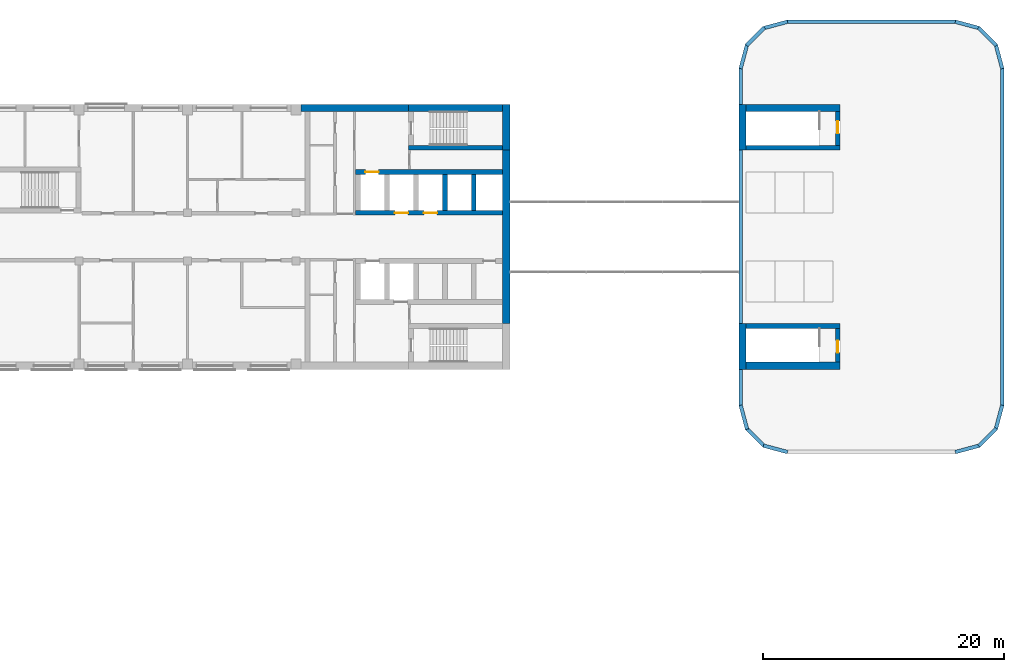
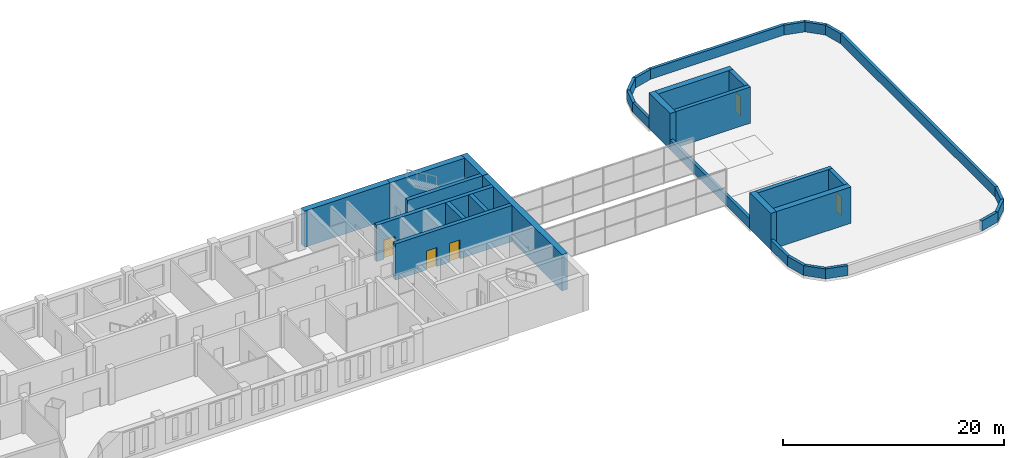
# One storey, part 9 of 11: 34 walls, 5 doors, 5 openings.
"""IFC4 building model written with IfcOpenShell, lengths in metres."""

from ifc_helpers import new_model, si_unit, direction, frame, frame_2d, origin, place, context, subcontext, project, spatial, rectangle, extrude, material, layer, layer_set, type_object, element, fill, save


model = new_model("IFC4")

# Units and contexts
model_context = context("Model", 3, precision=1e-05, world=origin(), true_north=direction((0.0, 1.0)))
body_context = subcontext(model_context, "Body", "Model", "MODEL_VIEW")
ifc_project = project(units=[si_unit("LENGTHUNIT", "METRE"), si_unit("AREAUNIT", "SQUARE_METRE"), si_unit("VOLUMEUNIT", "CUBIC_METRE"), si_unit("PLANEANGLEUNIT", "RADIAN"), si_unit("MASSUNIT", "GRAM", prefix="KILO")], contexts=[model_context])

# Site, building, storey
site_placement = place(None, origin())
site = spatial("IfcSite", under=ifc_project, at=site_placement, CompositionType="ELEMENT")
building_placement = place(site_placement, origin())
building = spatial("IfcBuilding", under=site, at=building_placement, Name="Skarvind Civic Tower", CompositionType="ELEMENT")
storey_placement = place(building_placement, frame((0.0, 0.0, 113.0)))
storey = spatial("IfcBuildingStorey", under=building, at=storey_placement, Name="L26", CompositionType="ELEMENT", Elevation=113.0)

# Wall
ifc_material_1 = material(Name="Concrete C80", Category="concrete")
ifc_layer_1 = layer(ifc_material_1, 0.39990234375)
ifc_layer_set_1 = layer_set([ifc_layer_1], Name="Core wall 400 C80")
wall_type_1 = type_object("IfcWallType", Name="Core wall 400 C80", PredefinedType="SHEAR", material=ifc_layer_set_1)
wall_1_placement = place(storey_placement, frame((107.39990234375, 135.39990234375, 0.0), z_axis=(0.0, 0.0, 1.0), x_axis=(-1.0, 0.0, 0.0)))
element("IfcWall", 1, at=wall_1_placement, inside=storey, type_object=wall_type_1, Name="Core wall C1 south stair inner L26", PredefinedType="SHEAR", context=body_context, shape_type="SweptSolid", body=[
    extrude(rectangle(XDim=7.7998046875, YDim=0.39990234375, at=frame_2d((3.89990234375, 0.0))), origin(), (0.0, 0.0, 1.0), 4.0),
])

# Wall, openings, doors
wall_2_placement = place(storey_placement, frame((107.39990234375, 130.0, 0.0), z_axis=(0.0, 0.0, 1.0), x_axis=(-1.0, 0.0, 0.0)))
wall_2 = element("IfcWall", 2, at=wall_2_placement, inside=storey, type_object=wall_type_1, Name="Core wall C1 south lift row front L26", PredefinedType="SHEAR", context=body_context, shape_type="SweptSolid", body=[
    extrude(rectangle(XDim=12.199951171875, YDim=0.39990234375, at=frame_2d((6.10009765625, 0.0))), origin(), (0.0, 0.0, 1.0), 4.0),
])
opening_1_placement = place(wall_2_placement, frame((5.449951171875, 0.0, 0.0)))
opening_1 = element("IfcOpeningElement", 3, at=opening_1_placement, cuts=wall_2, Name="Opening LD28108", PredefinedType="OPENING", context=body_context, shape_type="SweptSolid", body=[
    extrude(rectangle(XDim=1.10009765625, YDim=2.10009765625, at=frame_2d((0.550048828125, 1.050048828125))), frame((0.0, 0.2099609375, 0.0), z_axis=(0.0, -1.0, 0.0), x_axis=(1.0, 0.0, 0.0)), (0.0, 0.0, 1.0), 0.419921875),
])
opening_2_placement = place(wall_2_placement, frame((7.85009765625, 0.0, 0.0)))
opening_2 = element("IfcOpeningElement", 4, at=opening_2_placement, cuts=wall_2, Name="Opening LD28109", PredefinedType="OPENING", context=body_context, shape_type="SweptSolid", body=[
    extrude(rectangle(XDim=1.10009765625, YDim=2.10009765625, at=frame_2d((0.550048828125, 1.050048828125))), frame((0.0, 0.2099609375, 0.0), z_axis=(0.0, -1.0, 0.0), x_axis=(1.0, 0.0, 0.0)), (0.0, 0.0, 1.0), 0.419921875),
])
ifc_material_2 = material(Name="Stainless steel landing door", Category="steel")
door_type_1 = type_object("IfcDoorType", Name="Lift landing door 1100", OperationType="DOUBLE_DOOR_SLIDING", PredefinedType="DOOR", material=ifc_material_2)
door_1_placement = place(opening_1_placement, origin())
door_1 = element("IfcDoor", 5, at=door_1_placement, inside=storey, type_object=door_type_1, Name="Lift landing door", OperationType="DOUBLE_DOOR_SLIDING", OverallHeight=2.10009765625, OverallWidth=1.10009765625, PredefinedType="DOOR", context=body_context, shape_type="SweptSolid", body=[
    extrude(rectangle(XDim=1.10009765625, YDim=2.10009765625, at=frame_2d((0.550048828125, 1.050048828125))), frame((0.0, 0.02490234375, 0.0), z_axis=(0.0, -1.0, 0.0), x_axis=(1.0, 0.0, 0.0)), (0.0, 0.0, 1.0), 0.050048828125),
])
fill(opening_1, door_1)
door_2_placement = place(opening_2_placement, origin())
door_2 = element("IfcDoor", 6, at=door_2_placement, inside=storey, type_object=door_type_1, Name="Lift landing door", OperationType="DOUBLE_DOOR_SLIDING", OverallHeight=2.10009765625, OverallWidth=1.10009765625, PredefinedType="DOOR", context=body_context, shape_type="SweptSolid", body=[
    extrude(rectangle(XDim=1.10009765625, YDim=2.10009765625, at=frame_2d((0.550048828125, 1.050048828125))), frame((0.0, 0.02490234375, 0.0), z_axis=(0.0, -1.0, 0.0), x_axis=(1.0, 0.0, 0.0)), (0.0, 0.0, 1.0), 0.050048828125),
])
fill(opening_2, door_2)

# Wall, opening, door
wall_3_placement = place(storey_placement, frame((107.39990234375, 133.39990234375, 0.0), z_axis=(0.0, 0.0, 1.0), x_axis=(-1.0, 0.0, 0.0)))
wall_3 = element("IfcWall", 7, at=wall_3_placement, inside=storey, type_object=wall_type_1, Name="Core wall C1 south lift row back L26", PredefinedType="SHEAR", context=body_context, shape_type="SweptSolid", body=[
    extrude(rectangle(XDim=12.199951171875, YDim=0.39990234375, at=frame_2d((6.10009765625, 0.0))), origin(), (0.0, 0.0, 1.0), 4.0),
])
opening_3_placement = place(wall_3_placement, frame((10.300048828125, 0.0, 0.0)))
opening_3 = element("IfcOpeningElement", 8, at=opening_3_placement, cuts=wall_3, Name="Opening LD28110", PredefinedType="OPENING", context=body_context, shape_type="SweptSolid", body=[
    extrude(rectangle(XDim=1.10009765625, YDim=2.10009765625, at=frame_2d((0.550048828125, 1.050048828125))), frame((0.0, 0.2099609375, 0.0), z_axis=(0.0, -1.0, 0.0), x_axis=(1.0, 0.0, 0.0)), (0.0, 0.0, 1.0), 0.419921875),
])
door_3_placement = place(opening_3_placement, origin())
door_3 = element("IfcDoor", 9, at=door_3_placement, inside=storey, type_object=door_type_1, Name="Lift landing door", OperationType="DOUBLE_DOOR_SLIDING", OverallHeight=2.10009765625, OverallWidth=1.10009765625, PredefinedType="DOOR", context=body_context, shape_type="SweptSolid", body=[
    extrude(rectangle(XDim=1.10009765625, YDim=2.10009765625, at=frame_2d((0.550048828125, 1.050048828125))), frame((0.0, 0.02490234375, 0.0), z_axis=(0.0, -1.0, 0.0), x_axis=(1.0, 0.0, 0.0)), (0.0, 0.0, 1.0), 0.050048828125),
])
fill(opening_3, door_3)

# Walls
for number, where, z_axis, x_axis, name in (
    (10, (105.0, 133.199951171875, 0.0), (0.0, 0.0, 1.0), (0.0, -1.0, 0.0), "Core wall C1 south lift row division 1 L26"),
    (11, (102.60009765625, 133.199951171875, 0.0), (0.0, 0.0, 1.0), (0.0, -1.0, 0.0), "Core wall C1 south lift row division 2 L26"),
):
    element("IfcWall", number, at=place(storey_placement, frame(where, z_axis=z_axis, x_axis=x_axis)), inside=storey, type_object=wall_type_1, Name=name, PredefinedType="SHEAR", context=body_context, shape_type="SweptSolid", body=[
        extrude(rectangle(XDim=3.0, YDim=0.39990234375, at=frame_2d((1.5, 0.0))), origin(), (0.0, 0.0, 1.0), 4.0),
    ])
wall_4_placement = place(storey_placement, frame((127.60009765625, 120.60009765625, 0.0), z_axis=(0.0, 0.0, 1.0), x_axis=(1.0, 0.0, 0.0)))
element("IfcWall", 12, at=wall_4_placement, inside=storey, type_object=wall_type_1, Name="Core wall CA south stair head-house inner L26", PredefinedType="SHEAR", context=body_context, shape_type="SweptSolid", body=[
    extrude(rectangle(XDim=7.7998046875, YDim=0.39990234375, at=frame_2d((3.89990234375, 0.0))), origin(), (0.0, 0.0, 1.0), 4.0),
])

# Wall, opening, door
wall_5_placement = place(storey_placement, frame((135.199951171875, 117.60009765625, 0.0), z_axis=(0.0, 0.0, 1.0), x_axis=(0.0, 1.0, 0.0)))
wall_5 = element("IfcWall", 13, at=wall_5_placement, inside=storey, type_object=wall_type_1, Name="Core wall CA south stair head-house end L26", PredefinedType="SHEAR", context=body_context, shape_type="SweptSolid", body=[
    extrude(rectangle(XDim=2.7998046875, YDim=0.39990234375, at=frame_2d((1.39990234375, 0.0))), origin(), (0.0, 0.0, 1.0), 4.0),
])
opening_4_placement = place(wall_5_placement, frame((0.800048828125, 0.0, 0.0)))
opening_4 = element("IfcOpeningElement", 14, at=opening_4_placement, cuts=wall_5, Name="Opening D-L26-CA-01", PredefinedType="OPENING", context=body_context, shape_type="SweptSolid", body=[
    extrude(rectangle(XDim=1.0, YDim=2.10009765625, at=frame_2d((0.5, 1.050048828125))), frame((0.0, 0.2099609375, 0.0), z_axis=(0.0, -1.0, 0.0), x_axis=(1.0, 0.0, 0.0)), (0.0, 0.0, 1.0), 0.419921875),
])
ifc_material_3 = material(Name="Fire-rated steel door", Category="steel")
door_type_2 = type_object("IfcDoorType", Name="Fire door 1000", OperationType="NOTDEFINED", PredefinedType="DOOR", material=ifc_material_3)
door_4_placement = place(opening_4_placement, origin())
door_4 = element("IfcDoor", 15, at=door_4_placement, inside=storey, type_object=door_type_2, Name="Roof door", OperationType="SINGLE_SWING_LEFT", OverallHeight=2.10009765625, OverallWidth=1.0, PredefinedType="DOOR", context=body_context, shape_type="SweptSolid", body=[
    extrude(rectangle(XDim=1.0, YDim=2.10009765625, at=frame_2d((0.5, 1.050048828125))), frame((0.0, 0.02490234375, 0.0), z_axis=(0.0, -1.0, 0.0), x_axis=(1.0, 0.0, 0.0)), (0.0, 0.0, 1.0), 0.050048828125),
])
fill(opening_4, door_4)

# Wall
wall_6_placement = place(storey_placement, frame((127.60009765625, 135.39990234375, 0.0), z_axis=(0.0, 0.0, 1.0), x_axis=(1.0, 0.0, 0.0)))
element("IfcWall", 16, at=wall_6_placement, inside=storey, type_object=wall_type_1, Name="Core wall CA north stair head-house inner L26", PredefinedType="SHEAR", context=body_context, shape_type="SweptSolid", body=[
    extrude(rectangle(XDim=7.7998046875, YDim=0.39990234375, at=frame_2d((3.89990234375, 0.0))), origin(), (0.0, 0.0, 1.0), 4.0),
])

# Wall, opening, door
wall_7_placement = place(storey_placement, frame((135.199951171875, 135.60009765625, 0.0), z_axis=(0.0, 0.0, 1.0), x_axis=(0.0, 1.0, 0.0)))
wall_7 = element("IfcWall", 17, at=wall_7_placement, inside=storey, type_object=wall_type_1, Name="Core wall CA north stair head-house end L26", PredefinedType="SHEAR", context=body_context, shape_type="SweptSolid", body=[
    extrude(rectangle(XDim=2.7998046875, YDim=0.39990234375, at=frame_2d((1.39990234375, 0.0))), origin(), (0.0, 0.0, 1.0), 4.0),
])
opening_5_placement = place(wall_7_placement, frame((1.0, 0.0, 0.0)))
opening_5 = element("IfcOpeningElement", 18, at=opening_5_placement, cuts=wall_7, Name="Opening D-L26-CA-02", PredefinedType="OPENING", context=body_context, shape_type="SweptSolid", body=[
    extrude(rectangle(XDim=1.0, YDim=2.10009765625, at=frame_2d((0.5, 1.050048828125))), frame((0.0, 0.2099609375, 0.0), z_axis=(0.0, -1.0, 0.0), x_axis=(1.0, 0.0, 0.0)), (0.0, 0.0, 1.0), 0.419921875),
])
door_5_placement = place(opening_5_placement, origin())
door_5 = element("IfcDoor", 19, at=door_5_placement, inside=storey, type_object=door_type_2, Name="Roof door", OperationType="SINGLE_SWING_LEFT", OverallHeight=2.10009765625, OverallWidth=1.0, PredefinedType="DOOR", context=body_context, shape_type="SweptSolid", body=[
    extrude(rectangle(XDim=1.0, YDim=2.10009765625, at=frame_2d((0.5, 1.050048828125))), frame((0.0, 0.02490234375, 0.0), z_axis=(0.0, -1.0, 0.0), x_axis=(1.0, 0.0, 0.0)), (0.0, 0.0, 1.0), 0.050048828125),
])
fill(opening_5, door_5)

# Walls
ifc_layer_2 = layer(ifc_material_1, 0.60009765625)
ifc_layer_set_2 = layer_set([ifc_layer_2], Name="Core wall 600 C80")
wall_type_2 = type_object("IfcWallType", Name="Core wall 600 C80", PredefinedType="SHEAR", material=ifc_layer_set_2)
wall_8_placement = place(storey_placement, frame((107.699951171875, 139.0, 0.0), z_axis=(0.0, 0.0, 1.0), x_axis=(0.0, -1.0, 0.0)))
element("IfcWall", 20, at=wall_8_placement, inside=storey, type_object=wall_type_2, Name="Core wall C1 tip at the south stair L26", PredefinedType="SHEAR", context=body_context, shape_type="SweptSolid", body=[
    extrude(rectangle(XDim=3.800048828125, YDim=0.60009765625, at=frame_2d((1.89990234375, 0.0))), origin(), (0.0, 0.0, 1.0), 4.0),
])
wall_9_placement = place(storey_placement, frame((107.699951171875, 135.199951171875, 0.0), z_axis=(0.0, 0.0, 1.0), x_axis=(0.0, -1.0, 0.0)))
element("IfcWall", 21, at=wall_9_placement, inside=storey, type_object=wall_type_2, Name="Core wall C1 tip between the stairs L26", PredefinedType="SHEAR", context=body_context, shape_type="SweptSolid", body=[
    extrude(rectangle(XDim=14.39990234375, YDim=0.60009765625, at=frame_2d((7.199951171875, 0.0))), origin(), (0.0, 0.0, 1.0), 4.0),
])
wall_10_placement = place(storey_placement, frame((107.39990234375, 138.699951171875, 0.0), z_axis=(0.0, 0.0, 1.0), x_axis=(-1.0, 0.0, 0.0)))
element("IfcWall", 22, at=wall_10_placement, inside=storey, type_object=wall_type_2, Name="Core wall C1 south side at the stair L26", PredefinedType="SHEAR", context=body_context, shape_type="SweptSolid", body=[
    extrude(rectangle(XDim=7.7998046875, YDim=0.60009765625, at=frame_2d((3.89990234375, 0.0))), origin(), (0.0, 0.0, 1.0), 4.0),
])
wall_11_placement = place(storey_placement, frame((99.60009765625, 138.699951171875, 0.0), z_axis=(0.0, 0.0, 1.0), x_axis=(-1.0, 0.0, 0.0)))
element("IfcWall", 23, at=wall_11_placement, inside=storey, type_object=wall_type_2, Name="Core wall C1 south side L26", PredefinedType="SHEAR", context=body_context, shape_type="SweptSolid", body=[
    extrude(rectangle(XDim=8.925048828125, YDim=0.60009765625, at=frame_2d((4.46240234375, 0.0))), origin(), (0.0, 0.0, 1.0), 4.0),
])
wall_12_placement = place(storey_placement, frame((127.300048828125, 117.0, 0.0), z_axis=(0.0, 0.0, 1.0), x_axis=(0.0, 1.0, 0.0)))
element("IfcWall", 24, at=wall_12_placement, inside=storey, type_object=wall_type_2, Name="Core wall CA south stair head-house tip L26", PredefinedType="SHEAR", context=body_context, shape_type="SweptSolid", body=[
    extrude(rectangle(XDim=3.800048828125, YDim=0.60009765625, at=frame_2d((1.89990234375, 0.0))), origin(), (0.0, 0.0, 1.0), 4.0),
])
wall_13_placement = place(storey_placement, frame((127.60009765625, 117.300048828125, 0.0), z_axis=(0.0, 0.0, 1.0), x_axis=(1.0, 0.0, 0.0)))
element("IfcWall", 25, at=wall_13_placement, inside=storey, type_object=wall_type_2, Name="Core wall CA south stair head-house side L26", PredefinedType="SHEAR", context=body_context, shape_type="SweptSolid", body=[
    extrude(rectangle(XDim=7.7998046875, YDim=0.60009765625, at=frame_2d((3.89990234375, 0.0))), origin(), (0.0, 0.0, 1.0), 4.0),
])
wall_14_placement = place(storey_placement, frame((127.300048828125, 135.199951171875, 0.0), z_axis=(0.0, 0.0, 1.0), x_axis=(0.0, 1.0, 0.0)))
element("IfcWall", 26, at=wall_14_placement, inside=storey, type_object=wall_type_2, Name="Core wall CA north stair head-house tip L26", PredefinedType="SHEAR", context=body_context, shape_type="SweptSolid", body=[
    extrude(rectangle(XDim=3.800048828125, YDim=0.60009765625, at=frame_2d((1.89990234375, 0.0))), origin(), (0.0, 0.0, 1.0), 4.0),
])
wall_15_placement = place(storey_placement, frame((127.60009765625, 138.699951171875, 0.0), z_axis=(0.0, 0.0, 1.0), x_axis=(1.0, 0.0, 0.0)))
element("IfcWall", 27, at=wall_15_placement, inside=storey, type_object=wall_type_2, Name="Core wall CA north stair head-house side L26", PredefinedType="SHEAR", context=body_context, shape_type="SweptSolid", body=[
    extrude(rectangle(XDim=7.7998046875, YDim=0.60009765625, at=frame_2d((3.89990234375, 0.0))), origin(), (0.0, 0.0, 1.0), 4.0),
])
ifc_material_4 = material(Name="Limestone masonry cladding on insulated backing", Category="masonry")
ifc_layer_3 = layer(ifc_material_4, 0.300048828125)
ifc_layer_set_3 = layer_set([ifc_layer_3], Name="WX6 STONE PARAPET 300")
wall_type_3 = type_object("IfcWallType", Name="WX6 STONE PARAPET 300", PredefinedType="PARAPET", material=ifc_layer_set_3)
wall_16_placement = place(storey_placement, frame((145.0, 145.85009765625, 0.0), z_axis=(0.0, 0.0, 1.0), x_axis=(-1.0, 0.0, 0.0)))
element("IfcWall", 28, at=wall_16_placement, inside=storey, type_object=wall_type_3, Name="STONE PARAPET", PredefinedType="PARAPET", context=body_context, shape_type="SweptSolid", body=[
    extrude(rectangle(XDim=14.0, YDim=0.300048828125, at=frame_2d((7.0, 0.0))), origin(), (0.0, 0.0, 1.0), 1.10009765625),
])
for number, where, z_axis, x_axis, name in (
    (29, (131.038818359375, 145.85498046875, 0.0), (0.0, 0.0, 1.0), (-0.965926999034, -0.25881466832, 0.0), "STONE PARAPET"),
    (30, (129.106201171875, 145.35791015625, 0.0), (0.0, 0.0, 1.0), (-0.707106781187, -0.707106781187, 0.0), "STONE PARAPET"),
    (31, (127.680908203125, 143.961181640625, 0.0), (0.0, 0.0, 1.0), (-0.25881466832, -0.965926999034, 0.0), "STONE PARAPET"),
):
    element("IfcWall", number, at=place(storey_placement, frame(where, z_axis=z_axis, x_axis=x_axis)), inside=storey, type_object=wall_type_3, Name=name, PredefinedType="PARAPET", context=body_context, shape_type="SweptSolid", body=[
        extrude(rectangle(XDim=2.070556640625, YDim=0.300048828125, at=frame_2d((1.03515625, 0.0))), origin(), (0.0, 0.0, 1.0), 1.10009765625),
    ])
wall_17_placement = place(storey_placement, frame((127.14990234375, 142.0, 0.0), z_axis=(0.0, 0.0, 1.0), x_axis=(0.0, -1.0, 0.0)))
element("IfcWall", 32, at=wall_17_placement, inside=storey, type_object=wall_type_3, Name="STONE PARAPET", PredefinedType="PARAPET", context=body_context, shape_type="SweptSolid", body=[
    extrude(rectangle(XDim=2.9951171875, YDim=0.300048828125, at=frame_2d((1.49755859375, 0.0))), origin(), (0.0, 0.0, 1.0), 1.10009765625),
])
wall_18_placement = place(storey_placement, frame((127.14990234375, 135.195068359375, 0.0), z_axis=(0.0, 0.0, 1.0), x_axis=(0.0, -1.0, 0.0)))
element("IfcWall", 33, at=wall_18_placement, inside=storey, type_object=wall_type_3, Name="STONE PARAPET", PredefinedType="PARAPET", context=body_context, shape_type="SweptSolid", body=[
    extrude(rectangle(XDim=14.39013671875, YDim=0.300048828125, at=frame_2d((7.195068359375, 0.0))), origin(), (0.0, 0.0, 1.0), 1.10009765625),
])
wall_19_placement = place(storey_placement, frame((127.14990234375, 116.9951171875, 0.0), z_axis=(0.0, 0.0, 1.0), x_axis=(0.0, -1.0, 0.0)))
element("IfcWall", 34, at=wall_19_placement, inside=storey, type_object=wall_type_3, Name="STONE PARAPET", PredefinedType="PARAPET", context=body_context, shape_type="SweptSolid", body=[
    extrude(rectangle(XDim=2.9951171875, YDim=0.300048828125, at=frame_2d((1.49755859375, 0.0))), origin(), (0.0, 0.0, 1.0), 1.10009765625),
])
for number, where, z_axis, x_axis, name in (
    (35, (127.14501953125, 114.038818359375, 0.0), (0.0, 0.0, 1.0), (0.25881466832, -0.965926999034, 0.0), "STONE PARAPET"),
    (36, (127.64208984375, 112.106201171875, 0.0), (0.0, 0.0, 1.0), (0.707106781187, -0.707106781187, 0.0), "STONE PARAPET"),
    (37, (129.038818359375, 110.680908203125, 0.0), (0.0, 0.0, 1.0), (0.965926999034, -0.25881466832, 0.0), "STONE PARAPET"),
    (38, (144.961181640625, 110.14501953125, 0.0), (0.0, 0.0, 1.0), (0.965926999034, 0.25881466832, 0.0), "STONE PARAPET"),
    (39, (146.893798828125, 110.64208984375, 0.0), (0.0, 0.0, 1.0), (0.707106781187, 0.707106781187, 0.0), "STONE PARAPET"),
    (40, (148.319091796875, 112.038818359375, 0.0), (0.0, 0.0, 1.0), (0.25881466832, 0.965926999034, 0.0), "STONE PARAPET"),
):
    element("IfcWall", number, at=place(storey_placement, frame(where, z_axis=z_axis, x_axis=x_axis)), inside=storey, type_object=wall_type_3, Name=name, PredefinedType="PARAPET", context=body_context, shape_type="SweptSolid", body=[
        extrude(rectangle(XDim=2.070556640625, YDim=0.300048828125, at=frame_2d((1.03515625, 0.0))), origin(), (0.0, 0.0, 1.0), 1.10009765625),
    ])
wall_20_placement = place(storey_placement, frame((148.85009765625, 114.0, 0.0), z_axis=(0.0, 0.0, 1.0), x_axis=(0.0, 1.0, 0.0)))
element("IfcWall", 41, at=wall_20_placement, inside=storey, type_object=wall_type_3, Name="STONE PARAPET", PredefinedType="PARAPET", context=body_context, shape_type="SweptSolid", body=[
    extrude(rectangle(XDim=28.0, YDim=0.300048828125, at=frame_2d((14.0, 0.0))), origin(), (0.0, 0.0, 1.0), 1.10009765625),
])
for number, where, z_axis, x_axis, name in (
    (42, (148.85498046875, 141.961181640625, 0.0), (0.0, 0.0, 1.0), (-0.25881466832, 0.965926999034, 0.0), "STONE PARAPET"),
    (43, (148.35791015625, 143.893798828125, 0.0), (0.0, 0.0, 1.0), (-0.707106781187, 0.707106781187, 0.0), "STONE PARAPET"),
    (44, (146.961181640625, 145.319091796875, 0.0), (0.0, 0.0, 1.0), (-0.965926999034, 0.25881466832, 0.0), "STONE PARAPET"),
):
    element("IfcWall", number, at=place(storey_placement, frame(where, z_axis=z_axis, x_axis=x_axis)), inside=storey, type_object=wall_type_3, Name=name, PredefinedType="PARAPET", context=body_context, shape_type="SweptSolid", body=[
        extrude(rectangle(XDim=2.070556640625, YDim=0.300048828125, at=frame_2d((1.03515625, 0.0))), origin(), (0.0, 0.0, 1.0), 1.10009765625),
    ])

save(model, "model.ifc")
